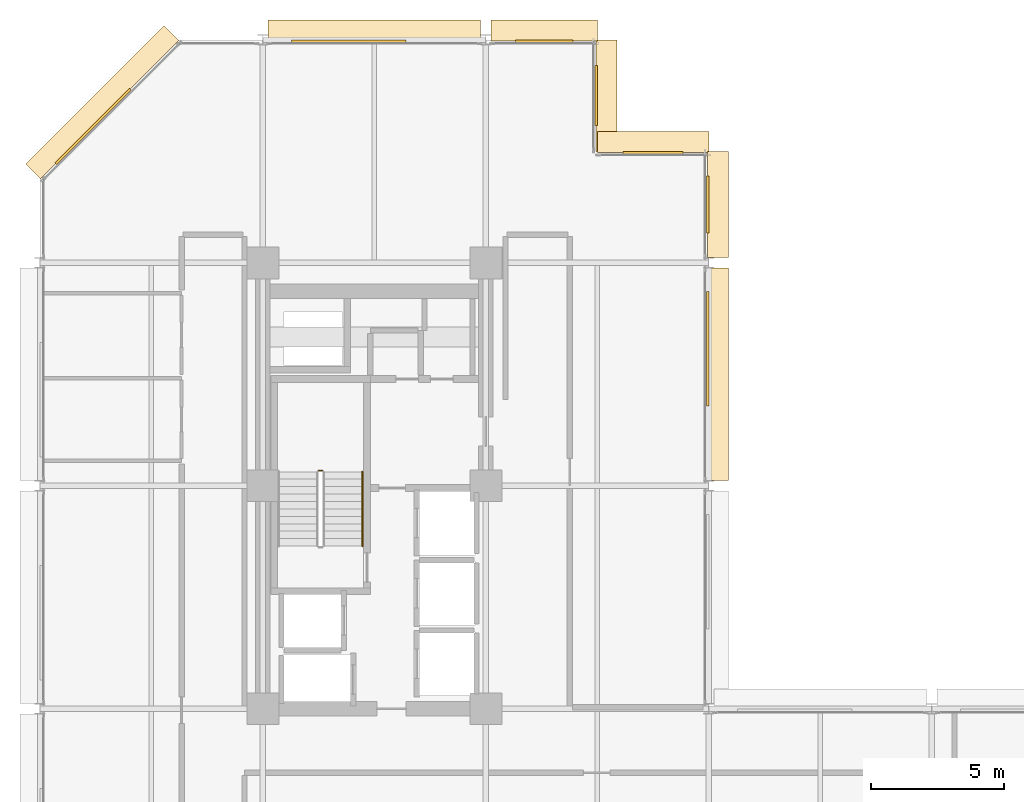
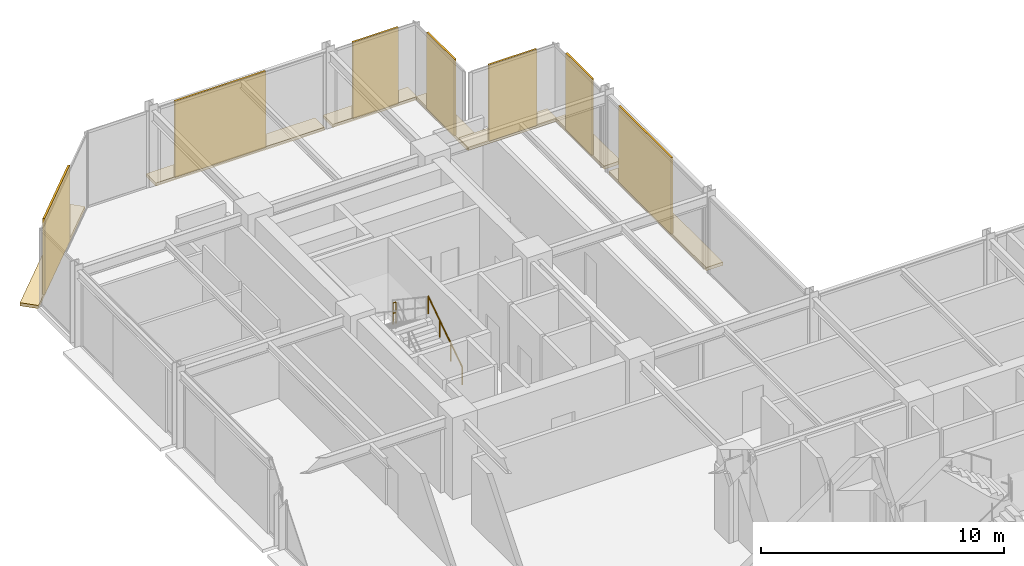
# One storey, part 39 of 39: 14 coverings, 2 railings.
"""IFC4 building model written with IfcOpenShell, lengths in metres."""

from ifc_helpers import new_model, si_unit, direction, frame, origin, origin_2d, place, context, subcontext, project, spatial, polyline, rectangle, circle, outline, extrude, material, layer, layer_set, type_object, element, save


model = new_model("IFC4")

# Units and contexts
model_context = context("Model", 3, precision=1e-05, world=origin(), true_north=direction((0.0, 1.0)))
body_context = subcontext(model_context, "Body", "Model", "MODEL_VIEW")
ifc_project = project(units=[si_unit("LENGTHUNIT", "METRE"), si_unit("AREAUNIT", "SQUARE_METRE"), si_unit("VOLUMEUNIT", "CUBIC_METRE"), si_unit("PLANEANGLEUNIT", "RADIAN"), si_unit("MASSUNIT", "GRAM", prefix="KILO")], contexts=[model_context])

# Site, building, storey
site_placement = place(None, origin())
site = spatial("IfcSite", under=ifc_project, at=site_placement, CompositionType="ELEMENT")
building_placement = place(site_placement, origin())
building = spatial("IfcBuilding", under=site, at=building_placement, Name="Nerrivon Quay Data Exchange", CompositionType="ELEMENT")
storey_placement = place(building_placement, frame((0.0, 0.0, 104.89990234375)))
storey = spatial("IfcBuildingStorey", under=building, at=storey_placement, Name="L24", CompositionType="ELEMENT", Elevation=104.89990234375)

# Coverings
ifc_material_1 = material(Name="Architectural terracotta ceramic", Category="masonry")
ifc_layer_1 = layer(ifc_material_1, 0.159912109375)
ifc_layer_set_1 = layer_set([ifc_layer_1], Name="Architectural terracotta ceramic")
covering_type_1 = type_object("IfcCoveringType", Name="COV-BLD-TERR", PredefinedType="CLADDING", material=ifc_layer_set_1)
covering_1_placement = place(storey_placement, frame((0.0, 0.0, -0.159912109375)))
element("IfcCovering", 1, at=covering_1_placement, inside=storey, type_object=covering_type_1, Name="L24 Horizontal Terracotta SOLAR SCREEN Blade", PredefinedType="CLADDING", context=body_context, shape_type="SweptSolid", body=[
    extrude(outline(polyline([(0.0283203125, 45.171630859375), (5.228271484375, 50.37158203125), (4.669677734375, 50.930419921875), (-0.5302734375, 45.730224609375), (0.0283203125, 45.171630859375)])), origin(), (0.0, 0.0, 1.0), 0.159912109375),
])
covering_2_placement = place(storey_placement, frame((0.0, 0.0, -0.159912109375)))
element("IfcCovering", 2, at=covering_2_placement, inside=storey, type_object=covering_type_1, Name="L24 Horizontal Terracotta SOLAR SCREEN Blade", PredefinedType="CLADDING", context=body_context, shape_type="SweptSolid", body=[
    extrude(outline(polyline([(8.60009765625, 50.360107421875), (16.60009765625, 50.360107421875), (16.60009765625, 51.14990234375), (8.60009765625, 51.14990234375), (8.60009765625, 50.360107421875)])), origin(), (0.0, 0.0, 1.0), 0.159912109375),
])
covering_3_placement = place(storey_placement, frame((0.0, 0.0, -0.159912109375)))
element("IfcCovering", 3, at=covering_3_placement, inside=storey, type_object=covering_type_1, Name="L24 Horizontal Terracotta SOLAR SCREEN Blade", PredefinedType="CLADDING", context=body_context, shape_type="SweptSolid", body=[
    extrude(outline(polyline([(17.0, 50.360107421875), (21.0, 50.360107421875), (21.0, 51.14990234375), (17.0, 51.14990234375), (17.0, 50.360107421875)])), origin(), (0.0, 0.0, 1.0), 0.159912109375),
])
covering_4_placement = place(storey_placement, frame((0.0, 0.0, -0.159912109375)))
element("IfcCovering", 4, at=covering_4_placement, inside=storey, type_object=covering_type_1, Name="L24 Horizontal Terracotta SOLAR SCREEN Blade", PredefinedType="CLADDING", context=body_context, shape_type="SweptSolid", body=[
    extrude(outline(polyline([(20.9599609375, 50.39990234375), (20.9599609375, 46.199951171875), (21.75, 46.199951171875), (21.75, 50.39990234375), (20.9599609375, 50.39990234375)])), origin(), (0.0, 0.0, 1.0), 0.159912109375),
])
covering_5_placement = place(storey_placement, frame((0.0, 0.0, -0.159912109375)))
element("IfcCovering", 5, at=covering_5_placement, inside=storey, type_object=covering_type_1, Name="L24 Horizontal Terracotta SOLAR SCREEN Blade", PredefinedType="CLADDING", context=body_context, shape_type="SweptSolid", body=[
    extrude(outline(polyline([(21.0, 46.159912109375), (25.199951171875, 46.159912109375), (25.199951171875, 46.949951171875), (21.0, 46.949951171875), (21.0, 46.159912109375)])), origin(), (0.0, 0.0, 1.0), 0.159912109375),
])
covering_6_placement = place(storey_placement, frame((0.0, 0.0, -0.159912109375)))
element("IfcCovering", 6, at=covering_6_placement, inside=storey, type_object=covering_type_1, Name="L24 Horizontal Terracotta SOLAR SCREEN Blade", PredefinedType="CLADDING", context=body_context, shape_type="SweptSolid", body=[
    extrude(outline(polyline([(25.159912109375, 46.199951171875), (25.159912109375, 42.199951171875), (25.949951171875, 42.199951171875), (25.949951171875, 46.199951171875), (25.159912109375, 46.199951171875)])), origin(), (0.0, 0.0, 1.0), 0.159912109375),
])
covering_7_placement = place(storey_placement, frame((0.0, 0.0, -0.159912109375)))
element("IfcCovering", 7, at=covering_7_placement, inside=storey, type_object=covering_type_1, Name="L24 Horizontal Terracotta SOLAR SCREEN Blade", PredefinedType="CLADDING", context=body_context, shape_type="SweptSolid", body=[
    extrude(outline(polyline([(25.159912109375, 41.800048828125), (25.159912109375, 33.800048828125), (25.949951171875, 33.800048828125), (25.949951171875, 41.800048828125), (25.159912109375, 41.800048828125)])), origin(), (0.0, 0.0, 1.0), 0.159912109375),
])
ifc_layer_2 = layer(ifc_material_1, 0.090087890625)
ifc_layer_set_2 = layer_set([ifc_layer_2], Name="Architectural terracotta ceramic")
covering_type_2 = type_object("IfcCoveringType", Name="COV-SCR-TERR", PredefinedType="CLADDING", material=ifc_layer_set_2)
covering_8_placement = place(storey_placement, frame((2.0078125, 47.144287109375, 0.0), z_axis=(0.0, 0.0, 1.0), x_axis=(0.707106781187, 0.707106781187, 0.0)))
element("IfcCovering", 8, at=covering_8_placement, inside=storey, type_object=covering_type_2, Name="L24 Perforated Terracotta SOLAR SCREEN Cassette", PredefinedType="CLADDING", context=body_context, shape_type="SweptSolid", body=[
    extrude(rectangle(XDim=3.970947265625, YDim=0.090087890625, at=origin_2d()), origin(), (0.0, 0.0, 1.0), 3.824951171875),
])
covering_9_placement = place(storey_placement, frame((11.639892578125, 50.35498046875, 0.0), z_axis=(0.0, 0.0, 1.0), x_axis=(1.0, 0.0, 0.0)))
element("IfcCovering", 9, at=covering_9_placement, inside=storey, type_object=covering_type_2, Name="L24 Perforated Terracotta SOLAR SCREEN Cassette", PredefinedType="CLADDING", context=body_context, shape_type="SweptSolid", body=[
    extrude(rectangle(XDim=4.320068359375, YDim=0.090087890625, at=origin_2d()), origin(), (0.0, 0.0, 1.0), 3.824951171875),
])
covering_10_placement = place(storey_placement, frame((19.0, 50.35498046875, 0.0), z_axis=(0.0, 0.0, 1.0), x_axis=(1.0, 0.0, 0.0)))
element("IfcCovering", 10, at=covering_10_placement, inside=storey, type_object=covering_type_2, Name="L24 Perforated Terracotta SOLAR SCREEN Cassette", PredefinedType="CLADDING", context=body_context, shape_type="SweptSolid", body=[
    extrude(rectangle(XDim=2.159912109375, YDim=0.090087890625, at=origin_2d()), origin(), (0.0, 0.0, 1.0), 3.824951171875),
])
for number, where, z_axis, x_axis, name in (
    (11, (20.955078125, 48.300048828125, 0.0), (0.0, 0.0, 1.0), (0.0, -1.0, 0.0), "L24 Perforated Terracotta SOLAR SCREEN Cassette"),
    (12, (23.10009765625, 46.155029296875, 0.0), (0.0, 0.0, 1.0), (1.0, 0.0, 0.0), "L24 Perforated Terracotta SOLAR SCREEN Cassette"),
):
    element("IfcCovering", number, at=place(storey_placement, frame(where, z_axis=z_axis, x_axis=x_axis)), inside=storey, type_object=covering_type_2, Name=name, PredefinedType="CLADDING", context=body_context, shape_type="SweptSolid", body=[
        extrude(rectangle(XDim=2.26806640625, YDim=0.090087890625, at=origin_2d()), origin(), (0.0, 0.0, 1.0), 3.824951171875),
    ])
covering_11_placement = place(storey_placement, frame((25.155029296875, 44.199951171875, 0.0), z_axis=(0.0, 0.0, 1.0), x_axis=(0.0, -1.0, 0.0)))
element("IfcCovering", 13, at=covering_11_placement, inside=storey, type_object=covering_type_2, Name="L24 Perforated Terracotta SOLAR SCREEN Cassette", PredefinedType="CLADDING", context=body_context, shape_type="SweptSolid", body=[
    extrude(rectangle(XDim=2.159912109375, YDim=0.090087890625, at=origin_2d()), origin(), (0.0, 0.0, 1.0), 3.824951171875),
])
covering_12_placement = place(storey_placement, frame((25.155029296875, 38.760009765625, 0.0), z_axis=(0.0, 0.0, 1.0), x_axis=(0.0, -1.0, 0.0)))
element("IfcCovering", 14, at=covering_12_placement, inside=storey, type_object=covering_type_2, Name="L24 Perforated Terracotta SOLAR SCREEN Cassette", PredefinedType="CLADDING", context=body_context, shape_type="SweptSolid", body=[
    extrude(rectangle(XDim=4.320068359375, YDim=0.090087890625, at=origin_2d()), origin(), (0.0, 0.0, 1.0), 3.824951171875),
])

# Railings
ifc_material_2 = material(Name="Steel Grade C350L0 (350 MPa)", Category="steel")
railing_type_1 = type_object("IfcRailingType", Name="RAIL-HAND-HR1", PredefinedType="HANDRAIL", material=ifc_material_2)
railing_1_placement = place(storey_placement, frame((12.14990234375, 31.330078125, 0.1865234375)))
element("IfcRailing", 15, at=railing_1_placement, inside=storey, type_object=railing_type_1, Name="L24 ST01 stair handrail 1", PredefinedType="HANDRAIL", context=body_context, shape_type="SweptSolid", body=[
    extrude(circle(Radius=0.02392578125, at=origin_2d()), frame((0.0, 0.0, 0.8759765625), z_axis=(0.0, 0.832463268671, 0.554080234545), x_axis=(-1.0, 0.0, 0.0)), (0.0, 0.0, 1.0), 3.36328125),
    extrude(circle(Radius=0.02099609375, at=origin_2d()), origin(), (0.0, 0.0, 1.0), 0.851806640625),
    extrude(circle(Radius=0.02099609375, at=origin_2d()), frame((0.0, 0.933349609375, 0.62109375)), (0.0, 0.0, 1.0), 0.851806640625),
    extrude(circle(Radius=0.02099609375, at=origin_2d()), frame((0.0, 1.866455078125, 1.242431640625)), (0.0, 0.0, 1.0), 0.851806640625),
    extrude(circle(Radius=0.02099609375, at=origin_2d()), frame((0.0, 2.7998046875, 1.863525390625)), (0.0, 0.0, 1.0), 0.851806640625),
])
railing_type_2 = type_object("IfcRailingType", Name="RAIL-STAIR-GR1", PredefinedType="BALUSTRADE", material=ifc_material_2)
railing_2_placement = place(storey_placement, frame((10.64990234375, 34.179931640625, 2.050048828125)))
element("IfcRailing", 16, at=railing_2_placement, inside=storey, type_object=railing_type_2, Name="L24 ST01 stair guard 2", PredefinedType="BALUSTRADE", context=body_context, shape_type="SweptSolid", body=[
    extrude(circle(Radius=0.02392578125, at=origin_2d()), frame((0.0, 0.0, 1.076171875), z_axis=(-1.0, 0.0, 0.0), x_axis=(0.0, -1.0, 0.0)), (0.0, 0.0, 1.0), 0.14990234375),
    extrude(circle(Radius=0.02392578125, at=origin_2d()), frame((0.0, 0.0, 0.550048828125), z_axis=(-1.0, 0.0, 0.0), x_axis=(0.0, -1.0, 0.0)), (0.0, 0.0, 1.0), 0.14990234375),
    extrude(circle(Radius=0.02099609375, at=origin_2d()), origin(), (0.0, 0.0, 1.0), 1.052001953125),
    extrude(circle(Radius=0.02099609375, at=origin_2d()), frame((-0.14990234375, 0.0, 0.0)), (0.0, 0.0, 1.0), 1.052001953125),
])

save(model, "model.ifc")
